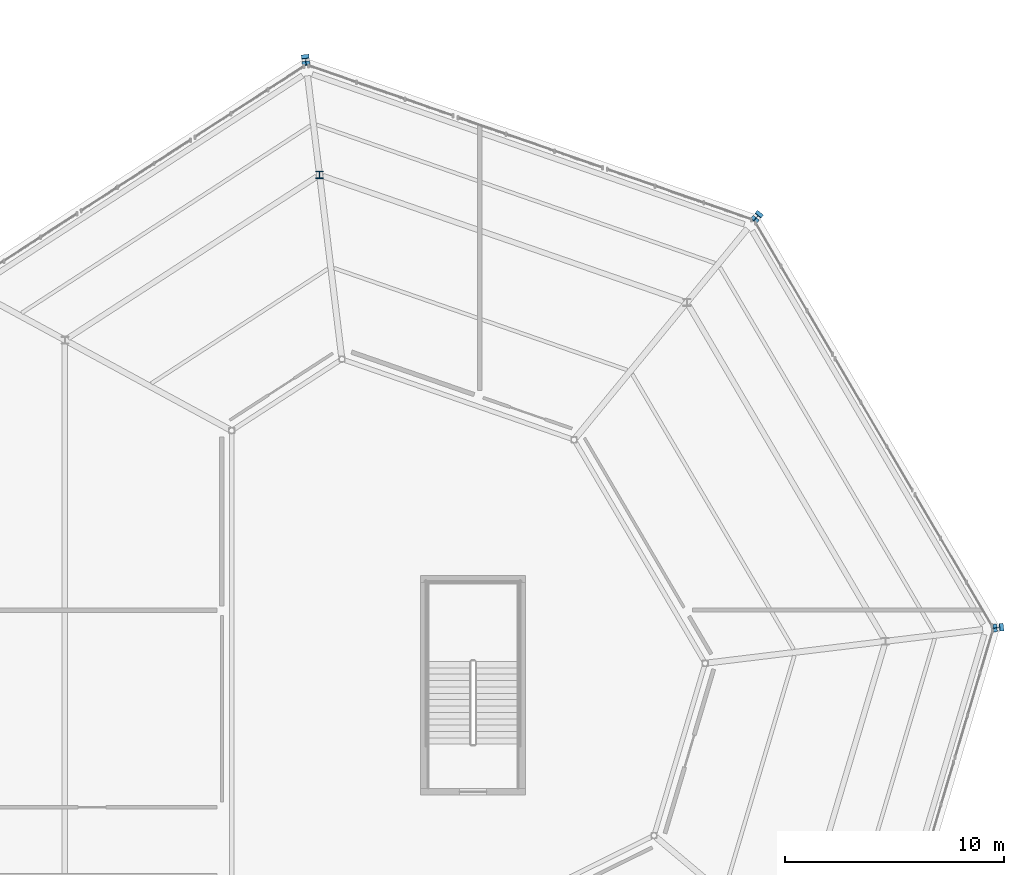
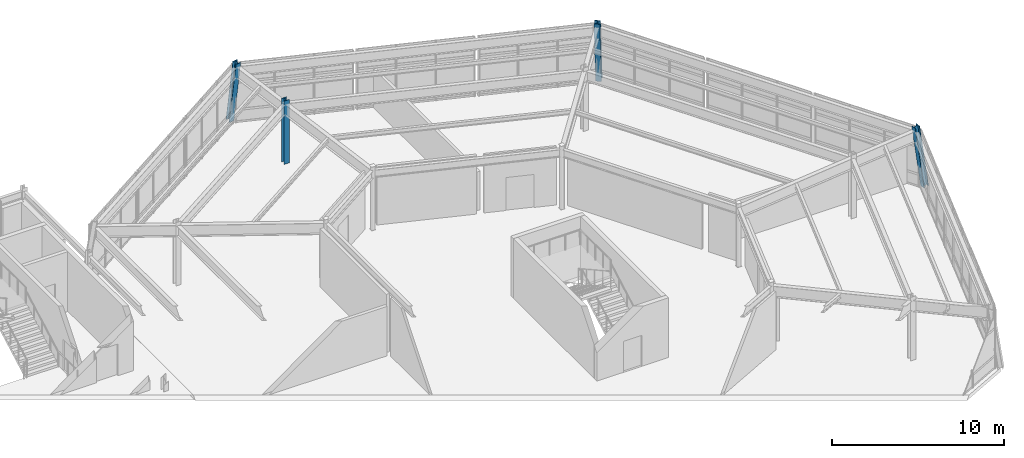
# One storey, part 17 of 69: 4 columns.
"""IFC4 building model written with IfcOpenShell, lengths in metres."""

from ifc_helpers import new_model, si_unit, direction, frame, origin, origin_2d, place, context, subcontext, project, spatial, i_section, extrude, material, material_profile, profile_set, type_object, element, save


model = new_model("IFC4")

# Units and contexts
model_context = context("Model", 3, precision=1e-05, world=origin(), true_north=direction((0.0, 1.0)))
body_context = subcontext(model_context, "Body", "Model", "MODEL_VIEW")
ifc_project = project(units=[si_unit("LENGTHUNIT", "METRE"), si_unit("AREAUNIT", "SQUARE_METRE"), si_unit("VOLUMEUNIT", "CUBIC_METRE"), si_unit("PLANEANGLEUNIT", "RADIAN"), si_unit("MASSUNIT", "GRAM", prefix="KILO")], contexts=[model_context])

# Site, building, storey
site_placement = place(None, origin())
site = spatial("IfcSite", under=ifc_project, at=site_placement, CompositionType="ELEMENT")
building_placement = place(site_placement, origin())
building = spatial("IfcBuilding", under=site, at=building_placement, Name="Sarnbrook Museum", CompositionType="ELEMENT")
storey_placement = place(building_placement, frame((0.0, 0.0, 14.60009765625)))
storey = spatial("IfcBuildingStorey", under=building, at=storey_placement, Name="L03", CompositionType="ELEMENT", Elevation=14.60009765625)

# Columns
ifc_material = material(Name="Structural Steel Grade 350L0 (AS/NZS 3678, fy = 340 MPa for 20 < t <= 40 mm)", Category="steel")
ifc_material_profile = material_profile(ifc_material, i_section(OverallWidth=0.35009765625, OverallDepth=0.3310546875, WebThickness=0.02001953125, FlangeThickness=0.028076171875, at=origin_2d()), Name="350WC197")
ifc_profile_set = profile_set([ifc_material_profile], Name="Structural Steel Grade 350L0 (AS/NZS 3678, fy = 340 MPa for 20 < t <= 40 mm)")
column_type = type_object("IfcColumnType", Name="COL-WC350", PredefinedType="COLUMN", material=ifc_profile_set)
column_1_placement = place(storey_placement, frame((167.817626953125, 87.843994140625, 0.0), z_axis=(-0.141024669598, -0.017131328866, 0.989857848449), x_axis=(0.12059102265, -0.992702274227, 0.0)))
element("IfcColumn", 1, at=column_1_placement, inside=storey, type_object=column_type, Name="Raking Crystal Rib Column V4 L03", PredefinedType="COLUMN", context=body_context, shape_type="SweptSolid", body=[
    extrude(i_section(OverallWidth=0.35009765625, OverallDepth=0.3310546875, WebThickness=0.02001953125, FlangeThickness=0.028076171875, at=origin_2d()), origin(), (0.0, 0.0, 1.0), 4.546142578125),
])
column_2_placement = place(storey_placement, frame((156.798828125, 106.623779296875, 0.0), z_axis=(-0.088112945832, -0.107401084585, 0.990303547306), x_axis=(0.773112271926, -0.634269197578, 0.0)))
element("IfcColumn", 2, at=column_2_placement, inside=storey, type_object=column_type, Name="Raking Crystal Rib Column V5 L03", PredefinedType="COLUMN", context=body_context, shape_type="SweptSolid", body=[
    extrude(i_section(OverallWidth=0.35009765625, OverallDepth=0.3310546875, WebThickness=0.02001953125, FlangeThickness=0.028076171875, at=origin_2d()), origin(), (0.0, 0.0, 1.0), 4.5439453125),
])
column_3_placement = place(storey_placement, frame((136.15869140625, 113.79052734375, 0.0), z_axis=(0.017499773389, -0.143916848025, 0.989435040205), x_axis=(0.992688139413, 0.120707323181, 0.0)))
element("IfcColumn", 3, at=column_3_placement, inside=storey, type_object=column_type, Name="Raking Crystal Rib Column V6 L03", PredefinedType="COLUMN", context=body_context, shape_type="SweptSolid", body=[
    extrude(i_section(OverallWidth=0.35009765625, OverallDepth=0.3310546875, WebThickness=0.02001953125, FlangeThickness=0.028076171875, at=origin_2d()), origin(), (0.0, 0.0, 1.0), 4.548095703125),
])
column_4_placement = place(storey_placement, frame((136.803955078125, 108.469482421875, 0.0), z_axis=(0.0, 0.0, 1.0), x_axis=(1.0, 0.0, 0.0)))
element("IfcColumn", 4, at=column_4_placement, inside=storey, type_object=column_type, Name="Crystal Hall Ring Column R1-6 L03", PredefinedType="COLUMN", context=body_context, shape_type="SweptSolid", body=[
    extrude(i_section(OverallWidth=0.35009765625, OverallDepth=0.3310546875, WebThickness=0.02001953125, FlangeThickness=0.028076171875, at=origin_2d()), origin(), (0.0, 0.0, 1.0), 4.5),
])

save(model, "model.ifc")
